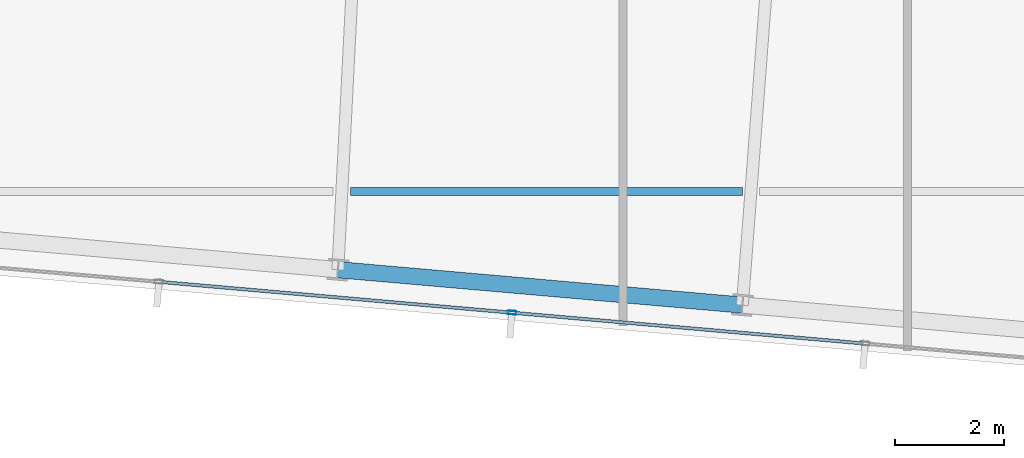
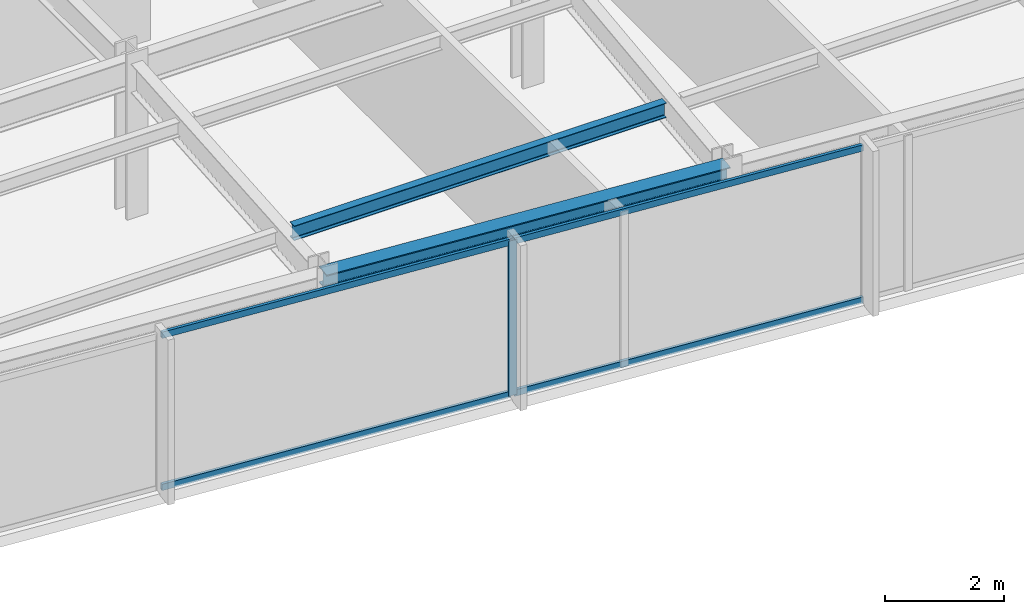
# One storey, part 7 of 32: 5 members, 2 beams, 1 element without a shape of its own.
"""IFC4 building model written with IfcOpenShell, lengths in metres."""

from ifc_helpers import new_model, si_unit, direction, frame, origin, origin_2d, place, context, subcontext, project, spatial, hollow_rectangle, i_section, extrude, material, material_profile, profile_set, type_object, element, aggregate, save


model = new_model("IFC4")

# Units and contexts
model_context = context("Model", 3, precision=1e-05, world=origin(), true_north=direction((0.0, 1.0)))
body_context = subcontext(model_context, "Body", "Model", "MODEL_VIEW")
ifc_project = project(units=[si_unit("LENGTHUNIT", "METRE"), si_unit("AREAUNIT", "SQUARE_METRE"), si_unit("VOLUMEUNIT", "CUBIC_METRE"), si_unit("PLANEANGLEUNIT", "RADIAN"), si_unit("MASSUNIT", "GRAM", prefix="KILO")], contexts=[model_context])

# Site, building, storey
site_placement = place(None, origin())
site = spatial("IfcSite", under=ifc_project, at=site_placement, CompositionType="ELEMENT")
building_placement = place(site_placement, origin())
building = spatial("IfcBuilding", under=site, at=building_placement, Name="Yelkora Congress Tower", CompositionType="ELEMENT")
storey_placement = place(building_placement, frame((0.0, 0.0, 293.10009765625)))
storey = spatial("IfcBuildingStorey", under=building, at=storey_placement, Name="L82", CompositionType="ELEMENT", Elevation=293.10009765625)

# Beams
ifc_material_1 = material(Name="Steel S355J2", Category="steel")
ifc_material_profile_1 = material_profile(ifc_material_1, i_section(OverallWidth=0.14990234375, OverallDepth=0.300048828125, WebThickness=0.007080078125, FlangeThickness=0.0107421875, FilletRadius=0.014892578125, at=origin_2d()), Name="IPE 300")
ifc_profile_set_1 = profile_set([ifc_material_profile_1], Name="Steel S355J2")
beam_type_1 = type_object("IfcBeamType", Name="BM-JOIST-IPE300", PredefinedType="JOIST", material=ifc_profile_set_1)
beam_1_placement = place(storey_placement, frame((30.595703125, 19.58447265625, 3.02978515625), z_axis=(1.0, 0.0, 0.0), x_axis=(0.0, 1.0, 0.0)))
element("IfcBeam", 1, at=beam_1_placement, inside=storey, type_object=beam_type_1, Name="L82 Composite Floor Joist 2", PredefinedType="JOIST", context=body_context, shape_type="SweptSolid", body=[
    extrude(i_section(OverallWidth=0.14990234375, OverallDepth=0.300048828125, WebThickness=0.007080078125, FlangeThickness=0.0107421875, FilletRadius=0.014892578125, at=origin_2d()), origin(), (0.0, 0.0, 1.0), 7.219970703125),
])
ifc_material_profile_2 = material_profile(ifc_material_1, i_section(OverallWidth=0.300048828125, OverallDepth=0.340087890625, WebThickness=0.011962890625, FlangeThickness=0.021484375, FilletRadius=0.027099609375, at=origin_2d()), Name="HEB 340")
ifc_profile_set_2 = profile_set([ifc_material_profile_2], Name="Steel S355J2")
beam_type_2 = type_object("IfcBeamType", Name="BM-SPAN-HEB340", PredefinedType="SPANDREL", material=ifc_profile_set_2)
beam_2_placement = place(storey_placement, frame((30.362548828125, 18.14111328125, 3.010009765625), z_axis=(0.99619601894, -0.087140644067, 0.0), x_axis=(0.087140644067, 0.99619601894, 0.0)))
element("IfcBeam", 2, at=beam_2_placement, inside=storey, type_object=beam_type_2, Name="L82 Perimeter Beam 4", PredefinedType="SPANDREL", context=body_context, shape_type="SweptSolid", body=[
    extrude(i_section(OverallWidth=0.300048828125, OverallDepth=0.340087890625, WebThickness=0.011962890625, FlangeThickness=0.021484375, FilletRadius=0.027099609375, at=origin_2d()), origin(), (0.0, 0.0, 1.0), 7.4833984375),
])

# Curtain wall, members
ifc_material_2 = material(Name="Anodised aluminium and insulated glass", Category="aluminium")
curtain_wall_type = type_object("IfcCurtainWallType", Name="CW-SYS-B5", PredefinedType="NOTDEFINED", material=ifc_material_2)
curtain_wall_placement = place(storey_placement, origin())
curtain_wall = element("IfcCurtainWall", 3, at=curtain_wall_placement, inside=storey, type_object=curtain_wall_type, Name="L82 Unitised Curtain Wall 20", PredefinedType="NOTDEFINED")
ifc_material_3 = material(Name="Anodised aluminium 6063-T6", Category="aluminium")
ifc_material_profile_3 = material_profile(ifc_material_3, hollow_rectangle(XDim=0.06494140625, YDim=0.159912109375, WallThickness=0.00390625, at=origin_2d()), Name="ALU 65x160x4")
ifc_profile_set_3 = profile_set([ifc_material_profile_3], Name="Anodised aluminium 6063-T6")
member_type_1 = type_object("IfcMemberType", Name="MEM-ML-B5", PredefinedType="MULLION", material=ifc_profile_set_3)
member_1_placement = place(storey_placement, frame((33.571533203125, 17.348388671875, 0.0), z_axis=(0.0, 0.0, 1.0), x_axis=(-0.087156829793, -0.996194602987, 0.0)))
member_1 = element("IfcMember", 4, at=member_1_placement, type_object=member_type_1, Name="CW-B5 mullion 4", PredefinedType="MULLION", context=body_context, shape_type="SweptSolid", body=[
    extrude(hollow_rectangle(XDim=0.06494140625, YDim=0.159912109375, WallThickness=0.00390625, at=origin_2d()), origin(), (0.0, 0.0, 1.0), 3.179931640625),
])
ifc_material_profile_4 = material_profile(ifc_material_3, hollow_rectangle(XDim=0.06005859375, YDim=0.1298828125, WallThickness=0.00390625, at=origin_2d()), Name="ALU 60x130x4")
ifc_profile_set_4 = profile_set([ifc_material_profile_4], Name="Anodised aluminium 6063-T6")
member_type_2 = type_object("IfcMemberType", Name="MEM-TR-B5", PredefinedType="USERDEFINED", material=ifc_profile_set_4)
member_2_placement = place(storey_placement, frame((40.045654296875, 16.781982421875, 0.02978515625), z_axis=(-0.996192979814, 0.08717538052, 0.0), x_axis=(-0.08717538052, -0.996192979814, 0.0)))
member_2 = element("IfcMember", 5, at=member_2_placement, type_object=member_type_2, Name="CW-B5 transom 3.1", ObjectType="TRANSOM", PredefinedType="USERDEFINED", context=body_context, shape_type="SweptSolid", body=[
    extrude(hollow_rectangle(XDim=0.06005859375, YDim=0.1298828125, WallThickness=0.00390625, at=origin_2d()), origin(), (0.0, 0.0, 1.0), 6.466552734375),
])
member_3_placement = place(storey_placement, frame((40.045654296875, 16.781982421875, 3.14990234375), z_axis=(-0.996192979814, 0.08717538052, 0.0), x_axis=(-0.08717538052, -0.996192979814, 0.0)))
member_3 = element("IfcMember", 6, at=member_3_placement, type_object=member_type_2, Name="CW-B5 transom 3.2", ObjectType="TRANSOM", PredefinedType="USERDEFINED", context=body_context, shape_type="SweptSolid", body=[
    extrude(hollow_rectangle(XDim=0.06005859375, YDim=0.1298828125, WallThickness=0.00390625, at=origin_2d()), origin(), (0.0, 0.0, 1.0), 6.466552734375),
])
member_4_placement = place(storey_placement, frame((33.5390625, 17.351318359375, 0.02978515625), z_axis=(-0.996196257862, 0.087137912649, 0.0), x_axis=(-0.087137912649, -0.996196257862, 0.0)))
member_4 = element("IfcMember", 7, at=member_4_placement, type_object=member_type_2, Name="CW-B5 transom 4.1", ObjectType="TRANSOM", PredefinedType="USERDEFINED", context=body_context, shape_type="SweptSolid", body=[
    extrude(hollow_rectangle(XDim=0.06005859375, YDim=0.1298828125, WallThickness=0.00390625, at=origin_2d()), origin(), (0.0, 0.0, 1.0), 6.466552734375),
])
member_5_placement = place(storey_placement, frame((33.5390625, 17.351318359375, 3.14990234375), z_axis=(-0.996196257862, 0.087137912649, 0.0), x_axis=(-0.087137912649, -0.996196257862, 0.0)))
member_5 = element("IfcMember", 8, at=member_5_placement, type_object=member_type_2, Name="CW-B5 transom 4.2", ObjectType="TRANSOM", PredefinedType="USERDEFINED", context=body_context, shape_type="SweptSolid", body=[
    extrude(hollow_rectangle(XDim=0.06005859375, YDim=0.1298828125, WallThickness=0.00390625, at=origin_2d()), origin(), (0.0, 0.0, 1.0), 6.466552734375),
])
aggregate(curtain_wall, [member_1, member_2, member_3, member_4, member_5])

save(model, "model.ifc")
